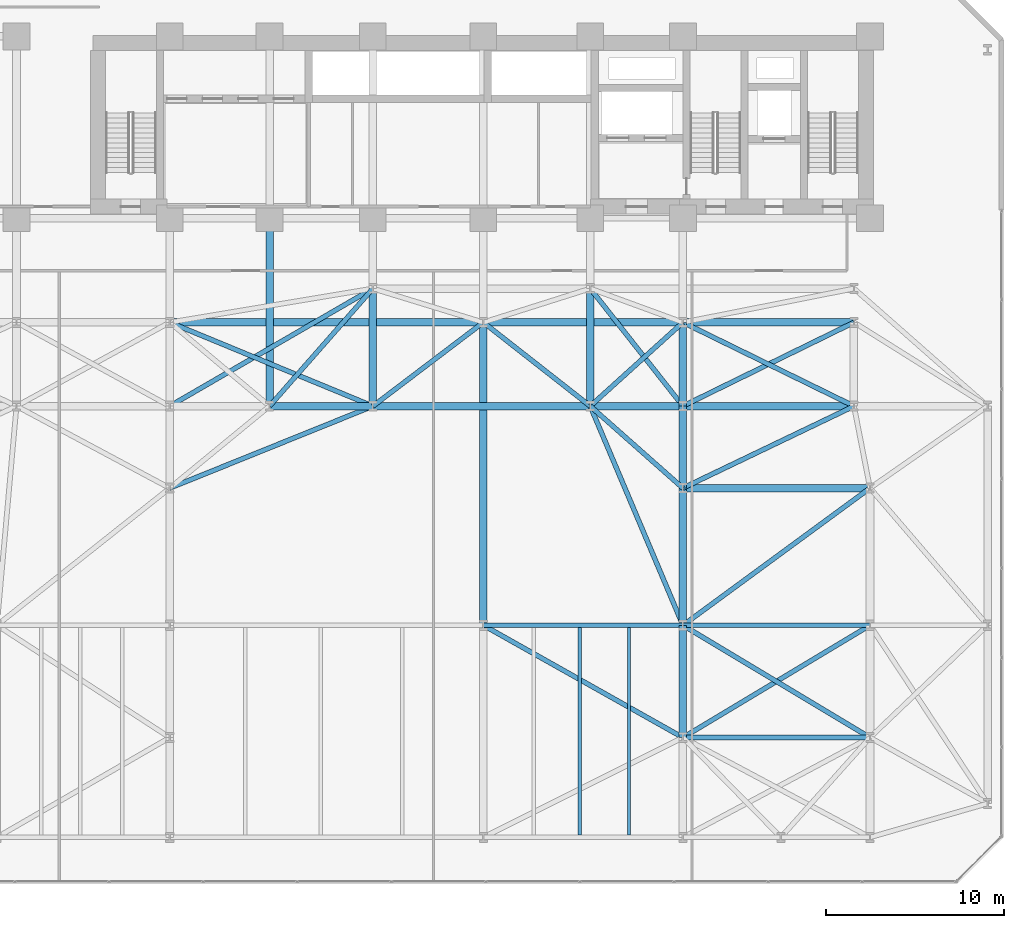
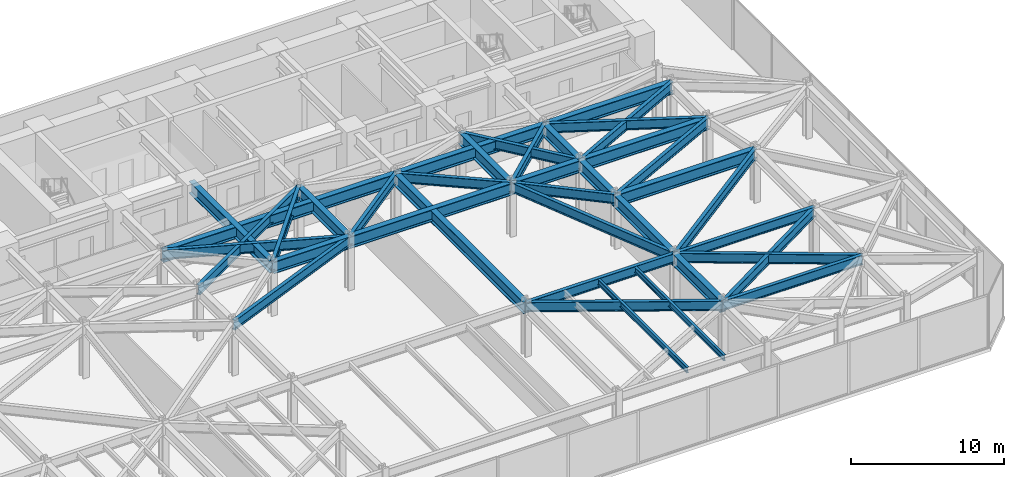
# One storey, part 18 of 28: 38 beams.
"""IFC4 building model written with IfcOpenShell, lengths in metres."""

from ifc_helpers import new_model, si_unit, direction, frame, origin, origin_2d, place, context, subcontext, project, spatial, i_section, extrude, material, material_profile, profile_set, type_object, element, save


model = new_model("IFC4")

# Units and contexts
model_context = context("Model", 3, precision=1e-05, world=origin(), true_north=direction((0.0, 1.0)))
body_context = subcontext(model_context, "Body", "Model", "MODEL_VIEW")
ifc_project = project(units=[si_unit("LENGTHUNIT", "METRE"), si_unit("AREAUNIT", "SQUARE_METRE"), si_unit("VOLUMEUNIT", "CUBIC_METRE"), si_unit("PLANEANGLEUNIT", "RADIAN"), si_unit("MASSUNIT", "GRAM", prefix="KILO")], contexts=[model_context])

# Site, building, storey
site_placement = place(None, origin())
site = spatial("IfcSite", under=ifc_project, at=site_placement, CompositionType="ELEMENT")
building_placement = place(site_placement, origin())
building = spatial("IfcBuilding", under=site, at=building_placement, Name="Kravanh Interchange Tower", CompositionType="ELEMENT")
storey_placement = place(building_placement, frame((0.0, 0.0, 15.300048828125)))
storey = spatial("IfcBuildingStorey", under=building, at=storey_placement, Name="L03", CompositionType="ELEMENT", Elevation=15.300048828125)

# Beams
ifc_material_1 = material(Name="Structural Steel S450", Category="steel")
ifc_material_profile_1 = material_profile(ifc_material_1, i_section(OverallWidth=0.423095703125, OverallDepth=0.947998046875, WebThickness=0.02392578125, FlangeThickness=0.042724609375, FilletRadius=0.028076171875, at=origin_2d()), Name="W36X302")
ifc_profile_set_1 = profile_set([ifc_material_profile_1], Name="Structural Steel S450")
beam_type_1 = type_object("IfcBeamType", Name="Floor Beam W36X302 Structural Steel S450", PredefinedType="BEAM", material=ifc_profile_set_1)
beam_1_placement = place(storey_placement, frame((56.0, 8.199951171875, 3.755859375), z_axis=(0.0, 1.0, 0.0), x_axis=(-1.0, 0.0, 0.0)))
element("IfcBeam", 1, at=beam_1_placement, inside=storey, type_object=beam_type_1, Name="L03 Primary Floor Girder 29", PredefinedType="BEAM", context=body_context, shape_type="SweptSolid", body=[
    extrude(i_section(OverallWidth=0.423095703125, OverallDepth=0.947998046875, WebThickness=0.02392578125, FlangeThickness=0.042724609375, FilletRadius=0.028076171875, at=origin_2d()), origin(), (0.0, 0.0, 1.0), 6.300048828125),
])
beam_2_placement = place(storey_placement, frame((44.800048828125, 14.5, 3.755859375), z_axis=(0.0, 1.0, 0.0), x_axis=(-1.0, 0.0, 0.0)))
element("IfcBeam", 2, at=beam_2_placement, inside=storey, type_object=beam_type_1, Name="L03 Primary Floor Girder 48", PredefinedType="BEAM", context=body_context, shape_type="SweptSolid", body=[
    extrude(i_section(OverallWidth=0.423095703125, OverallDepth=0.947998046875, WebThickness=0.02392578125, FlangeThickness=0.042724609375, FilletRadius=0.028076171875, at=origin_2d()), origin(), (0.0, 0.0, 1.0), 17.0),
])
beam_3_placement = place(storey_placement, frame((56.0, 14.5, 3.755859375), z_axis=(0.0, 1.0, 0.0), x_axis=(-1.0, 0.0, 0.0)))
element("IfcBeam", 3, at=beam_3_placement, inside=storey, type_object=beam_type_1, Name="L03 Primary Floor Girder 49", PredefinedType="BEAM", context=body_context, shape_type="SweptSolid", body=[
    extrude(i_section(OverallWidth=0.423095703125, OverallDepth=0.947998046875, WebThickness=0.02392578125, FlangeThickness=0.042724609375, FilletRadius=0.028076171875, at=origin_2d()), origin(), (0.0, 0.0, 1.0), 7.699951171875),
])
beam_4_placement = place(storey_placement, frame((56.0, 22.199951171875, 3.755859375), z_axis=(0.0, 1.0, 0.0), x_axis=(-1.0, 0.0, 0.0)))
element("IfcBeam", 4, at=beam_4_placement, inside=storey, type_object=beam_type_1, Name="L03 Primary Floor Girder 65", PredefinedType="BEAM", context=body_context, shape_type="SweptSolid", body=[
    extrude(i_section(OverallWidth=0.423095703125, OverallDepth=0.947998046875, WebThickness=0.02392578125, FlangeThickness=0.042724609375, FilletRadius=0.028076171875, at=origin_2d()), origin(), (0.0, 0.0, 1.0), 4.60009765625),
])
beam_5_placement = place(storey_placement, frame((56.0, 22.199951171875, 3.755859375), z_axis=(1.0, 0.0, 0.0), x_axis=(0.0, 1.0, 0.0)))
element("IfcBeam", 5, at=beam_5_placement, inside=storey, type_object=beam_type_1, Name="L03 Primary Floor Girder 67", PredefinedType="BEAM", context=body_context, shape_type="SweptSolid", body=[
    extrude(i_section(OverallWidth=0.423095703125, OverallDepth=0.947998046875, WebThickness=0.02392578125, FlangeThickness=0.042724609375, FilletRadius=0.028076171875, at=origin_2d()), origin(), (0.0, 0.0, 1.0), 10.5),
])
beam_6_placement = place(storey_placement, frame((32.800048828125, 26.800048828125, 3.755859375), z_axis=(1.0, 0.0, 0.0), x_axis=(0.0, 1.0, 0.0)))
element("IfcBeam", 6, at=beam_6_placement, inside=storey, type_object=beam_type_1, Name="L03 Primary Floor Girder 85", PredefinedType="BEAM", context=body_context, shape_type="SweptSolid", body=[
    extrude(i_section(OverallWidth=0.423095703125, OverallDepth=0.947998046875, WebThickness=0.02392578125, FlangeThickness=0.042724609375, FilletRadius=0.028076171875, at=origin_2d()), origin(), (0.0, 0.0, 1.0), 5.800048828125),
])
beam_7_placement = place(storey_placement, frame((32.800048828125, 26.800048828125, 3.755859375), z_axis=(0.0, 1.0, 0.0), x_axis=(-1.0, 0.0, 0.0)))
element("IfcBeam", 7, at=beam_7_placement, inside=storey, type_object=beam_type_1, Name="L03 Primary Floor Girder 88", PredefinedType="BEAM", context=body_context, shape_type="SweptSolid", body=[
    extrude(i_section(OverallWidth=0.423095703125, OverallDepth=0.947998046875, WebThickness=0.02392578125, FlangeThickness=0.042724609375, FilletRadius=0.028076171875, at=origin_2d()), origin(), (0.0, 0.0, 1.0), 10.550048828125),
])
beam_8_placement = place(storey_placement, frame((38.60009765625, 26.800048828125, 3.755859375), z_axis=(0.0, 1.0, 0.0), x_axis=(-1.0, 0.0, 0.0)))
element("IfcBeam", 8, at=beam_8_placement, inside=storey, type_object=beam_type_1, Name="L03 Primary Floor Girder 89", PredefinedType="BEAM", context=body_context, shape_type="SweptSolid", body=[
    extrude(i_section(OverallWidth=0.423095703125, OverallDepth=0.947998046875, WebThickness=0.02392578125, FlangeThickness=0.042724609375, FilletRadius=0.028076171875, at=origin_2d()), origin(), (0.0, 0.0, 1.0), 6.599853515625),
])
beam_9_placement = place(storey_placement, frame((38.60009765625, 26.800048828125, 3.755859375), z_axis=(1.0, 0.0, 0.0), x_axis=(0.0, 1.0, 0.0)))
element("IfcBeam", 9, at=beam_9_placement, inside=storey, type_object=beam_type_1, Name="L03 Primary Floor Girder 91", PredefinedType="BEAM", context=body_context, shape_type="SweptSolid", body=[
    extrude(i_section(OverallWidth=0.423095703125, OverallDepth=0.947998046875, WebThickness=0.02392578125, FlangeThickness=0.042724609375, FilletRadius=0.028076171875, at=origin_2d()), origin(), (0.0, 0.0, 1.0), 12.199951171875),
])
beam_10_placement = place(storey_placement, frame((50.800048828125, 26.800048828125, 3.755859375), z_axis=(1.0, 0.0, 0.0), x_axis=(0.0, 1.0, 0.0)))
element("IfcBeam", 10, at=beam_10_placement, inside=storey, type_object=beam_type_1, Name="L03 Primary Floor Girder 93", PredefinedType="BEAM", context=body_context, shape_type="SweptSolid", body=[
    extrude(i_section(OverallWidth=0.423095703125, OverallDepth=0.947998046875, WebThickness=0.02392578125, FlangeThickness=0.042724609375, FilletRadius=0.028076171875, at=origin_2d()), origin(), (0.0, 0.0, 1.0), 5.199951171875),
])
beam_11_placement = place(storey_placement, frame((50.800048828125, 26.800048828125, 3.755859375), z_axis=(0.0, 1.0, 0.0), x_axis=(-1.0, 0.0, 0.0)))
element("IfcBeam", 11, at=beam_11_placement, inside=storey, type_object=beam_type_1, Name="L03 Primary Floor Girder 94", PredefinedType="BEAM", context=body_context, shape_type="SweptSolid", body=[
    extrude(i_section(OverallWidth=0.423095703125, OverallDepth=0.947998046875, WebThickness=0.02392578125, FlangeThickness=0.042724609375, FilletRadius=0.028076171875, at=origin_2d()), origin(), (0.0, 0.0, 1.0), 6.599853515625),
])
beam_12_placement = place(storey_placement, frame((56.0, 26.800048828125, 3.755859375), z_axis=(0.0, 1.0, 0.0), x_axis=(-1.0, 0.0, 0.0)))
element("IfcBeam", 12, at=beam_12_placement, inside=storey, type_object=beam_type_1, Name="L03 Primary Floor Girder 97", PredefinedType="BEAM", context=body_context, shape_type="SweptSolid", body=[
    extrude(i_section(OverallWidth=0.423095703125, OverallDepth=0.947998046875, WebThickness=0.02392578125, FlangeThickness=0.042724609375, FilletRadius=0.028076171875, at=origin_2d()), origin(), (0.0, 0.0, 1.0), 4.699951171875),
])
beam_13_placement = place(storey_placement, frame((56.0, 26.800048828125, 3.755859375), z_axis=(1.0, 0.0, 0.0), x_axis=(0.0, 1.0, 0.0)))
element("IfcBeam", 13, at=beam_13_placement, inside=storey, type_object=beam_type_1, Name="L03 Primary Floor Girder 99", PredefinedType="BEAM", context=body_context, shape_type="SweptSolid", body=[
    extrude(i_section(OverallWidth=0.423095703125, OverallDepth=0.947998046875, WebThickness=0.02392578125, FlangeThickness=0.042724609375, FilletRadius=0.028076171875, at=origin_2d()), origin(), (0.0, 0.0, 1.0), 9.60009765625),
])
beam_14_placement = place(storey_placement, frame((27.199951171875, 31.5, 3.755859375), z_axis=(1.0, 0.0, 0.0), x_axis=(0.0, 1.0, 0.0)))
element("IfcBeam", 14, at=beam_14_placement, inside=storey, type_object=beam_type_1, Name="L03 Primary Floor Girder 112", PredefinedType="BEAM", context=body_context, shape_type="SweptSolid", body=[
    extrude(i_section(OverallWidth=0.423095703125, OverallDepth=0.947998046875, WebThickness=0.02392578125, FlangeThickness=0.042724609375, FilletRadius=0.028076171875, at=origin_2d()), origin(), (0.0, 0.0, 1.0), 17.60009765625),
])
beam_15_placement = place(storey_placement, frame((44.800048828125, 31.5, 3.755859375), z_axis=(1.0, 0.0, 0.0), x_axis=(0.0, 1.0, 0.0)))
element("IfcBeam", 15, at=beam_15_placement, inside=storey, type_object=beam_type_1, Name="L03 Primary Floor Girder 116", PredefinedType="BEAM", context=body_context, shape_type="SweptSolid", body=[
    extrude(i_section(OverallWidth=0.423095703125, OverallDepth=0.947998046875, WebThickness=0.02392578125, FlangeThickness=0.042724609375, FilletRadius=0.028076171875, at=origin_2d()), origin(), (0.0, 0.0, 1.0), 11.199951171875),
])
beam_16_placement = place(storey_placement, frame((56.0, 31.5, 3.755859375), z_axis=(1.0, 0.0, 0.0), x_axis=(0.0, 1.0, 0.0)))
element("IfcBeam", 16, at=beam_16_placement, inside=storey, type_object=beam_type_1, Name="L03 Primary Floor Girder 119", PredefinedType="BEAM", context=body_context, shape_type="SweptSolid", body=[
    extrude(i_section(OverallWidth=0.423095703125, OverallDepth=0.947998046875, WebThickness=0.02392578125, FlangeThickness=0.042724609375, FilletRadius=0.028076171875, at=origin_2d()), origin(), (0.0, 0.0, 1.0), 9.60009765625),
])
ifc_material_2 = material(Name="Structural Steel S355", Category="steel")
ifc_material_profile_2 = material_profile(ifc_material_2, i_section(OverallWidth=0.18994140625, OverallDepth=0.45703125, WebThickness=0.009033203125, FlangeThickness=0.014404296875, FilletRadius=0.01806640625, at=origin_2d()), Name="W18X50")
ifc_profile_set_2 = profile_set([ifc_material_profile_2], Name="Structural Steel S355")
beam_type_2 = type_object("IfcBeamType", Name="Floor Joist W18X50 Structural Steel S355", PredefinedType="JOIST", material=ifc_profile_set_2)
for number, where, z_axis, x_axis, name in (
    (17, (50.201904296875, 2.728515625, 4.00146484375), (0.0, 1.0, 0.0), (-1.0, 0.0, 0.0), "L03 Secondary Floor Joist 11"),
    (18, (52.97412109375, 2.728515625, 4.00146484375), (0.0, 1.0, 0.0), (-1.0, 0.0, 0.0), "L03 Secondary Floor Joist 12"),
):
    element("IfcBeam", number, at=place(storey_placement, frame(where, z_axis=z_axis, x_axis=x_axis)), inside=storey, type_object=beam_type_2, Name=name, PredefinedType="JOIST", context=body_context, shape_type="SweptSolid", body=[
        extrude(i_section(OverallWidth=0.18994140625, OverallDepth=0.45703125, WebThickness=0.009033203125, FlangeThickness=0.014404296875, FilletRadius=0.01806640625, at=origin_2d()), origin(), (0.0, 0.0, 1.0), 11.64306640625),
    ])
ifc_material_3 = material(Name="Structural Steel S355", Category="steel")
ifc_material_profile_3 = material_profile(ifc_material_3, i_section(OverallWidth=0.26708984375, OverallDepth=0.761962890625, WebThickness=0.014404296875, FlangeThickness=0.021484375, FilletRadius=0.02490234375, at=origin_2d()), Name="W30X116")
ifc_profile_set_3 = profile_set([ifc_material_profile_3], Name="Structural Steel S355")
beam_type_3 = type_object("IfcBeamType", Name="Floor Spandrel W30X116 Structural Steel S355", PredefinedType="SPANDREL", material=ifc_profile_set_3)
beam_17_placement = place(storey_placement, frame((56.0, 8.199951171875, 3.848876953125), z_axis=(1.0, 0.0, 0.0), x_axis=(0.0, 1.0, 0.0)))
element("IfcBeam", 19, at=beam_17_placement, inside=storey, type_object=beam_type_3, Name="L03 Perimeter Spandrel 30", PredefinedType="SPANDREL", context=body_context, shape_type="SweptSolid", body=[
    extrude(i_section(OverallWidth=0.26708984375, OverallDepth=0.761962890625, WebThickness=0.014404296875, FlangeThickness=0.021484375, FilletRadius=0.02490234375, at=origin_2d()), origin(), (0.0, 0.0, 1.0), 10.5),
])
beam_18_placement = place(storey_placement, frame((56.0, 8.199951171875, 3.848876953125), z_axis=(0.857491166477, 0.514498687475, 0.0), x_axis=(-0.514498687475, 0.857491166477, 0.0)))
element("IfcBeam", 20, at=beam_18_placement, inside=storey, type_object=beam_type_3, Name="L03 Perimeter Spandrel 31", PredefinedType="SPANDREL", context=body_context, shape_type="SweptSolid", body=[
    extrude(i_section(OverallWidth=0.26708984375, OverallDepth=0.761962890625, WebThickness=0.014404296875, FlangeThickness=0.021484375, FilletRadius=0.02490234375, at=origin_2d()), origin(), (0.0, 0.0, 1.0), 12.2451171875),
])
beam_19_placement = place(storey_placement, frame((56.0, 8.199951171875, 3.848876953125), z_axis=(-0.871573000172, 0.490265749743, 0.0), x_axis=(-0.490265749743, -0.871573000172, 0.0)))
element("IfcBeam", 21, at=beam_19_placement, inside=storey, type_object=beam_type_3, Name="L03 Perimeter Spandrel 32", PredefinedType="SPANDREL", context=body_context, shape_type="SweptSolid", body=[
    extrude(i_section(OverallWidth=0.26708984375, OverallDepth=0.761962890625, WebThickness=0.014404296875, FlangeThickness=0.021484375, FilletRadius=0.02490234375, at=origin_2d()), origin(), (0.0, 0.0, 1.0), 12.850341796875),
])
beam_20_placement = place(storey_placement, frame((66.5, 8.199951171875, 3.848876953125), z_axis=(-0.857491166477, 0.514498687475, 0.0), x_axis=(-0.514498687475, -0.857491166477, 0.0)))
element("IfcBeam", 22, at=beam_20_placement, inside=storey, type_object=beam_type_3, Name="L03 Perimeter Spandrel 36", PredefinedType="SPANDREL", context=body_context, shape_type="SweptSolid", body=[
    extrude(i_section(OverallWidth=0.26708984375, OverallDepth=0.761962890625, WebThickness=0.014404296875, FlangeThickness=0.021484375, FilletRadius=0.02490234375, at=origin_2d()), origin(), (0.0, 0.0, 1.0), 12.2451171875),
])
beam_21_placement = place(storey_placement, frame((44.800048828125, 14.5, 3.848876953125), z_axis=(1.0, 0.0, 0.0), x_axis=(0.0, 1.0, 0.0)))
element("IfcBeam", 23, at=beam_21_placement, inside=storey, type_object=beam_type_3, Name="L03 Perimeter Spandrel 47", PredefinedType="SPANDREL", context=body_context, shape_type="SweptSolid", body=[
    extrude(i_section(OverallWidth=0.26708984375, OverallDepth=0.761962890625, WebThickness=0.014404296875, FlangeThickness=0.021484375, FilletRadius=0.02490234375, at=origin_2d()), origin(), (0.0, 0.0, 1.0), 11.199951171875),
])
beam_22_placement = place(storey_placement, frame((56.0, 14.5, 3.848876953125), z_axis=(1.0, 0.0, 0.0), x_axis=(0.0, 1.0, 0.0)))
element("IfcBeam", 24, at=beam_22_placement, inside=storey, type_object=beam_type_3, Name="L03 Perimeter Spandrel 50", PredefinedType="SPANDREL", context=body_context, shape_type="SweptSolid", body=[
    extrude(i_section(OverallWidth=0.26708984375, OverallDepth=0.761962890625, WebThickness=0.014404296875, FlangeThickness=0.021484375, FilletRadius=0.02490234375, at=origin_2d()), origin(), (0.0, 0.0, 1.0), 10.5),
])
beam_23_placement = place(storey_placement, frame((56.0, 14.5, 3.848876953125), z_axis=(0.806406784162, 0.59136122502, 0.0), x_axis=(-0.59136122502, 0.806406784162, 0.0)))
element("IfcBeam", 25, at=beam_23_placement, inside=storey, type_object=beam_type_3, Name="L03 Perimeter Spandrel 51", PredefinedType="SPANDREL", context=body_context, shape_type="SweptSolid", body=[
    extrude(i_section(OverallWidth=0.26708984375, OverallDepth=0.761962890625, WebThickness=0.014404296875, FlangeThickness=0.021484375, FilletRadius=0.02490234375, at=origin_2d()), origin(), (0.0, 0.0, 1.0), 13.020751953125),
])
beam_24_placement = place(storey_placement, frame((56.0, 14.5, 3.848876953125), z_axis=(-0.389391275313, 0.921072437276, 0.0), x_axis=(-0.921072437276, -0.389391275313, 0.0)))
element("IfcBeam", 26, at=beam_24_placement, inside=storey, type_object=beam_type_3, Name="L03 Perimeter Spandrel 52", PredefinedType="SPANDREL", context=body_context, shape_type="SweptSolid", body=[
    extrude(i_section(OverallWidth=0.26708984375, OverallDepth=0.761962890625, WebThickness=0.014404296875, FlangeThickness=0.021484375, FilletRadius=0.02490234375, at=origin_2d()), origin(), (0.0, 0.0, 1.0), 13.35400390625),
])
beam_25_placement = place(storey_placement, frame((27.199951171875, 22.199951171875, 3.848876953125), z_axis=(0.927349344428, 0.374196730864, 0.0), x_axis=(-0.374196730864, 0.927349344428, 0.0)))
element("IfcBeam", 27, at=beam_25_placement, inside=storey, type_object=beam_type_3, Name="L03 Perimeter Spandrel 64", PredefinedType="SPANDREL", context=body_context, shape_type="SweptSolid", body=[
    extrude(i_section(OverallWidth=0.26708984375, OverallDepth=0.761962890625, WebThickness=0.014404296875, FlangeThickness=0.021484375, FilletRadius=0.02490234375, at=origin_2d()), origin(), (0.0, 0.0, 1.0), 12.293212890625),
])
beam_26_placement = place(storey_placement, frame((56.0, 22.199951171875, 3.848876953125), z_axis=(-0.74898649432, 0.662585263439, 0.0), x_axis=(-0.662585263439, -0.74898649432, 0.0)))
element("IfcBeam", 28, at=beam_26_placement, inside=storey, type_object=beam_type_3, Name="L03 Perimeter Spandrel 66", PredefinedType="SPANDREL", context=body_context, shape_type="SweptSolid", body=[
    extrude(i_section(OverallWidth=0.26708984375, OverallDepth=0.761962890625, WebThickness=0.014404296875, FlangeThickness=0.021484375, FilletRadius=0.02490234375, at=origin_2d()), origin(), (0.0, 0.0, 1.0), 6.942626953125),
])
beam_27_placement = place(storey_placement, frame((56.0, 22.199951171875, 3.848876953125), z_axis=(0.901814166789, 0.432124066188, 0.0), x_axis=(-0.432124066188, 0.901814166789, 0.0)))
element("IfcBeam", 29, at=beam_27_placement, inside=storey, type_object=beam_type_3, Name="L03 Perimeter Spandrel 68", PredefinedType="SPANDREL", context=body_context, shape_type="SweptSolid", body=[
    extrude(i_section(OverallWidth=0.26708984375, OverallDepth=0.761962890625, WebThickness=0.014404296875, FlangeThickness=0.021484375, FilletRadius=0.02490234375, at=origin_2d()), origin(), (0.0, 0.0, 1.0), 10.645263671875),
])
beam_28_placement = place(storey_placement, frame((27.199951171875, 26.800048828125, 3.848876953125), z_axis=(0.865433898834, 0.501023119974, 0.0), x_axis=(-0.501023119974, 0.865433898834, 0.0)))
element("IfcBeam", 30, at=beam_28_placement, inside=storey, type_object=beam_type_3, Name="L03 Perimeter Spandrel 84", PredefinedType="SPANDREL", context=body_context, shape_type="SweptSolid", body=[
    extrude(i_section(OverallWidth=0.26708984375, OverallDepth=0.761962890625, WebThickness=0.014404296875, FlangeThickness=0.021484375, FilletRadius=0.02490234375, at=origin_2d()), origin(), (0.0, 0.0, 1.0), 13.1728515625),
])
beam_29_placement = place(storey_placement, frame((32.800048828125, 26.800048828125, 3.848876953125), z_axis=(0.660126010232, 0.751154877914, 0.0), x_axis=(-0.751154877914, 0.660126010232, 0.0)))
element("IfcBeam", 31, at=beam_29_placement, inside=storey, type_object=beam_type_3, Name="L03 Perimeter Spandrel 87", PredefinedType="SPANDREL", context=body_context, shape_type="SweptSolid", body=[
    extrude(i_section(OverallWidth=0.26708984375, OverallDepth=0.761962890625, WebThickness=0.014404296875, FlangeThickness=0.021484375, FilletRadius=0.02490234375, at=origin_2d()), origin(), (0.0, 0.0, 1.0), 8.786376953125),
])
beam_30_placement = place(storey_placement, frame((38.60009765625, 26.800048828125, 3.848876953125), z_axis=(0.796905365509, 0.604104161898, 0.0), x_axis=(-0.604104161898, 0.796905365509, 0.0)))
element("IfcBeam", 32, at=beam_30_placement, inside=storey, type_object=beam_type_3, Name="L03 Perimeter Spandrel 90", PredefinedType="SPANDREL", context=body_context, shape_type="SweptSolid", body=[
    extrude(i_section(OverallWidth=0.26708984375, OverallDepth=0.761962890625, WebThickness=0.014404296875, FlangeThickness=0.021484375, FilletRadius=0.02490234375, at=origin_2d()), origin(), (0.0, 0.0, 1.0), 7.780029296875),
])
beam_31_placement = place(storey_placement, frame((38.60009765625, 26.800048828125, 3.848876953125), z_axis=(-0.924513176562, 0.381150083778, 0.0), x_axis=(-0.381150083778, -0.924513176562, 0.0)))
element("IfcBeam", 33, at=beam_31_placement, inside=storey, type_object=beam_type_3, Name="L03 Perimeter Spandrel 92", PredefinedType="SPANDREL", context=body_context, shape_type="SweptSolid", body=[
    extrude(i_section(OverallWidth=0.26708984375, OverallDepth=0.761962890625, WebThickness=0.014404296875, FlangeThickness=0.021484375, FilletRadius=0.02490234375, at=origin_2d()), origin(), (0.0, 0.0, 1.0), 12.3310546875),
])
beam_32_placement = place(storey_placement, frame((50.800048828125, 26.800048828125, 3.848876953125), z_axis=(0.741874009795, 0.670539300557, 0.0), x_axis=(-0.670539300557, 0.741874009795, 0.0)))
element("IfcBeam", 34, at=beam_32_placement, inside=storey, type_object=beam_type_3, Name="L03 Perimeter Spandrel 95", PredefinedType="SPANDREL", context=body_context, shape_type="SweptSolid", body=[
    extrude(i_section(OverallWidth=0.26708984375, OverallDepth=0.761962890625, WebThickness=0.014404296875, FlangeThickness=0.021484375, FilletRadius=0.02490234375, at=origin_2d()), origin(), (0.0, 0.0, 1.0), 7.00927734375),
])
beam_33_placement = place(storey_placement, frame((50.800048828125, 26.800048828125, 3.848876953125), z_axis=(-0.787231163579, 0.616658004967, 0.0), x_axis=(-0.616658004967, -0.787231163579, 0.0)))
element("IfcBeam", 35, at=beam_33_placement, inside=storey, type_object=beam_type_3, Name="L03 Perimeter Spandrel 96", PredefinedType="SPANDREL", context=body_context, shape_type="SweptSolid", body=[
    extrude(i_section(OverallWidth=0.26708984375, OverallDepth=0.761962890625, WebThickness=0.014404296875, FlangeThickness=0.021484375, FilletRadius=0.02490234375, at=origin_2d()), origin(), (0.0, 0.0, 1.0), 7.62158203125),
])
beam_34_placement = place(storey_placement, frame((56.0, 26.800048828125, 3.848876953125), z_axis=(-0.618877116007, 0.785487819946, 0.0), x_axis=(-0.785487819946, -0.618877116007, 0.0)))
element("IfcBeam", 36, at=beam_34_placement, inside=storey, type_object=beam_type_3, Name="L03 Perimeter Spandrel 98", PredefinedType="SPANDREL", context=body_context, shape_type="SweptSolid", body=[
    extrude(i_section(OverallWidth=0.26708984375, OverallDepth=0.761962890625, WebThickness=0.014404296875, FlangeThickness=0.021484375, FilletRadius=0.02490234375, at=origin_2d()), origin(), (0.0, 0.0, 1.0), 8.40234375),
])
for number, where, z_axis, x_axis, name in (
    (37, (56.0, 26.800048828125, 3.848876953125), (0.898141688387, 0.439706160499, 0.0), (-0.439706160499, 0.898141688387, 0.0), "L03 Perimeter Spandrel 100"),
    (38, (65.60009765625, 26.800048828125, 3.848876953125), (-0.898141688387, 0.439706160499, 0.0), (-0.439706160499, -0.898141688387, 0.0), "L03 Perimeter Spandrel 103"),
):
    element("IfcBeam", number, at=place(storey_placement, frame(where, z_axis=z_axis, x_axis=x_axis)), inside=storey, type_object=beam_type_3, Name=name, PredefinedType="SPANDREL", context=body_context, shape_type="SweptSolid", body=[
        extrude(i_section(OverallWidth=0.26708984375, OverallDepth=0.761962890625, WebThickness=0.014404296875, FlangeThickness=0.021484375, FilletRadius=0.02490234375, at=origin_2d()), origin(), (0.0, 0.0, 1.0), 10.68896484375),
    ])

save(model, "model.ifc")
